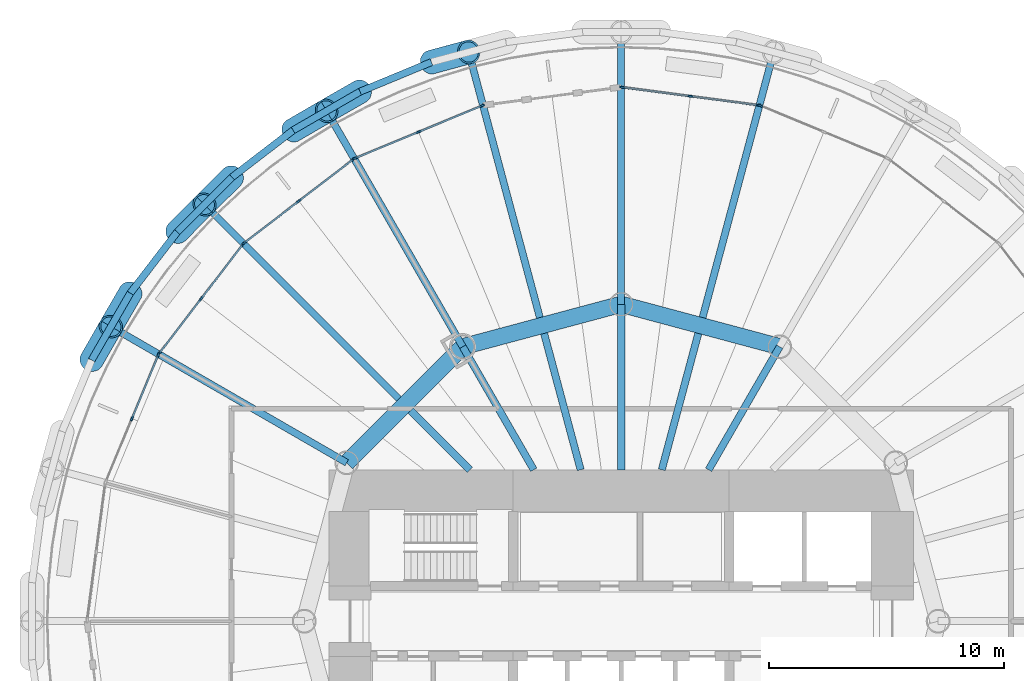
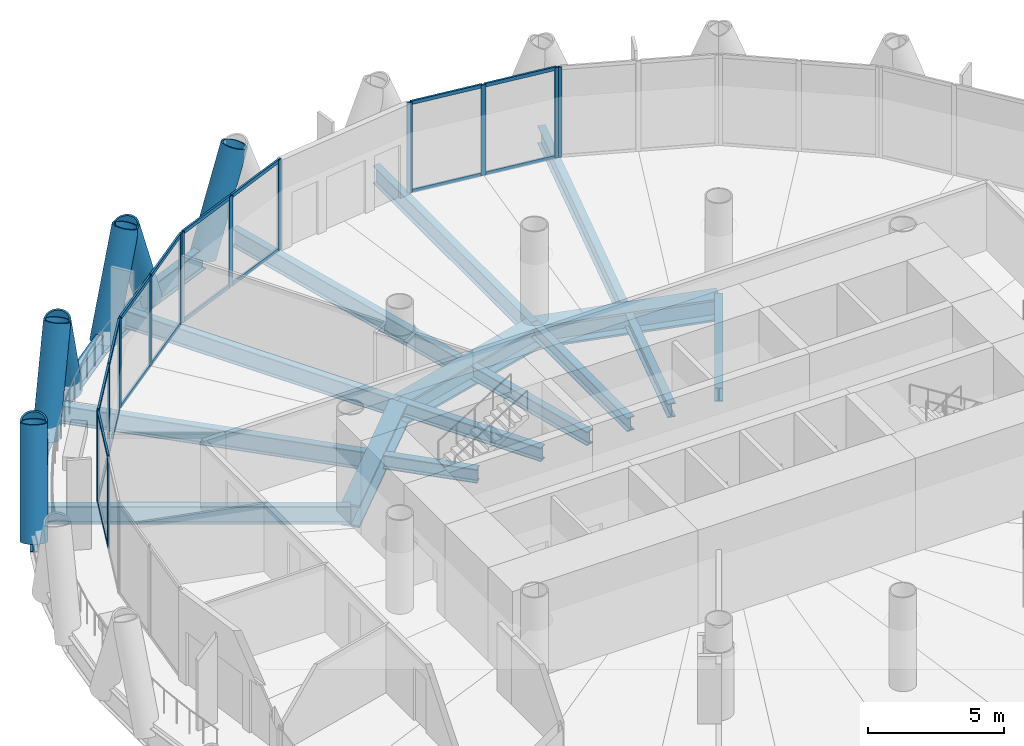
# One storey, part 6 of 15: 40 members, 21 beams, 6 elements without a shape of their own.
"""IFC4 building model written with IfcOpenShell, lengths in metres."""

from ifc_helpers import new_model, si_unit, direction, frame, origin, origin_2d, place, context, subcontext, project, spatial, rectangle, hollow_circle, i_section, extrude, material, material_profile, profile_set, type_object, element, aggregate, save


model = new_model("IFC4")

# Units and contexts
model_context = context("Model", 3, precision=1e-05, world=origin(), true_north=direction((0.0, 1.0)))
body_context = subcontext(model_context, "Body", "Model", "MODEL_VIEW")
ifc_project = project(units=[si_unit("LENGTHUNIT", "METRE"), si_unit("AREAUNIT", "SQUARE_METRE"), si_unit("VOLUMEUNIT", "CUBIC_METRE"), si_unit("PLANEANGLEUNIT", "RADIAN"), si_unit("MASSUNIT", "GRAM", prefix="KILO")], contexts=[model_context])

# Site, building, storey
site_placement = place(None, origin())
site = spatial("IfcSite", under=ifc_project, at=site_placement, CompositionType="ELEMENT")
building_placement = place(site_placement, origin())
building = spatial("IfcBuilding", under=site, at=building_placement, Name="Qaws Media Tower", CompositionType="ELEMENT")
storey_placement = place(building_placement, frame((0.0, 0.0, 122.60009765625)))
storey = spatial("IfcBuildingStorey", under=building, at=storey_placement, Name="L27", CompositionType="ELEMENT", Elevation=122.60009765625)

# Curtain wall, member
ifc_material_1 = material(Name="Aluminium and clear glass", Category="aluminium")
curtain_wall_type = type_object("IfcCurtainWallType", Name="Unitised curtain wall CW-B", PredefinedType="NOTDEFINED", material=ifc_material_1)
curtain_wall_1_placement = place(storey_placement, origin())
curtain_wall_1 = element("IfcCurtainWall", 1, at=curtain_wall_1_placement, inside=storey, type_object=curtain_wall_type, Name="CWB curtain wall L27-05", PredefinedType="NOTDEFINED")
ifc_material_2 = material(Name="Aluminium mullion", Category="aluminium")
ifc_material_profile_1 = material_profile(ifc_material_2, rectangle(XDim=0.080078125, YDim=0.199951171875, at=origin_2d()), Name="80x200")
ifc_profile_set_1 = profile_set([ifc_material_profile_1], Name="Aluminium mullion")
member_type_1 = type_object("IfcMemberType", Name="Curtain wall mullion 80x200", PredefinedType="MULLION", material=ifc_profile_set_1)
member_1_placement = place(storey_placement, frame((65.925048828125, 71.95947265625, 0.0), z_axis=(0.0, 0.0, 1.0), x_axis=(-0.382683471693, -0.923879516221, 0.0)))
member_1 = element("IfcMember", 2, at=member_1_placement, type_object=member_type_1, Name="CWB mullion 3", PredefinedType="MULLION", context=body_context, shape_type="SweptSolid", body=[
    extrude(rectangle(XDim=0.080078125, YDim=0.199951171875, at=origin_2d()), origin(), (0.0, 0.0, 1.0), 4.039794921875),
])
aggregate(curtain_wall_1, [member_1])

# Curtain wall, members
curtain_wall_2_placement = place(storey_placement, origin())
curtain_wall_2 = element("IfcCurtainWall", 3, at=curtain_wall_2_placement, inside=storey, type_object=curtain_wall_type, Name="CWB curtain wall L27-06", PredefinedType="NOTDEFINED")
member_2_placement = place(storey_placement, frame((65.848388671875, 71.97998046875, 0.0), z_axis=(0.0, 0.0, 1.0), x_axis=(-0.130526123437, -0.991444870429, 0.0)))
member_2 = element("IfcMember", 4, at=member_2_placement, type_object=member_type_1, Name="CWB mullion 1", PredefinedType="MULLION", context=body_context, shape_type="SweptSolid", body=[
    extrude(rectangle(XDim=0.080078125, YDim=0.199951171875, at=origin_2d()), origin(), (0.0, 0.0, 1.0), 4.039794921875),
])
member_3_placement = place(storey_placement, frame((62.944091796875, 72.3623046875, 0.0), z_axis=(0.0, 0.0, 1.0), x_axis=(-0.130526123437, -0.991444870429, 0.0)))
member_3 = element("IfcMember", 5, at=member_3_placement, type_object=member_type_1, Name="CWB mullion 2", PredefinedType="MULLION", context=body_context, shape_type="SweptSolid", body=[
    extrude(rectangle(XDim=0.080078125, YDim=0.199951171875, at=origin_2d()), origin(), (0.0, 0.0, 1.0), 4.039794921875),
])
member_4_placement = place(storey_placement, frame((60.03955078125, 72.744873046875, 0.0), z_axis=(0.0, 0.0, 1.0), x_axis=(-0.130526123437, -0.991444870429, 0.0)))
member_4 = element("IfcMember", 6, at=member_4_placement, type_object=member_type_1, Name="CWB mullion 3", PredefinedType="MULLION", context=body_context, shape_type="SweptSolid", body=[
    extrude(rectangle(XDim=0.080078125, YDim=0.199951171875, at=origin_2d()), origin(), (0.0, 0.0, 1.0), 4.039794921875),
])

curtain_wall_3_placement = place(storey_placement, origin())
curtain_wall_3 = element("IfcCurtainWall", 7, at=curtain_wall_3_placement, inside=storey, type_object=curtain_wall_type, Name="CWB curtain wall L27-08", PredefinedType="NOTDEFINED")
member_5_placement = place(storey_placement, frame((54.074951171875, 71.95947265625, 0.0), z_axis=(0.0, 0.0, 1.0), x_axis=(0.382683471693, -0.923879516221, 0.0)))
member_5 = element("IfcMember", 8, at=member_5_placement, type_object=member_type_1, Name="CWB mullion 1", PredefinedType="MULLION", context=body_context, shape_type="SweptSolid", body=[
    extrude(rectangle(XDim=0.080078125, YDim=0.199951171875, at=origin_2d()), origin(), (0.0, 0.0, 1.0), 4.039794921875),
])
member_6_placement = place(storey_placement, frame((51.368408203125, 70.83837890625, 0.0), z_axis=(0.0, 0.0, 1.0), x_axis=(0.382683471693, -0.923879516221, 0.0)))
member_6 = element("IfcMember", 9, at=member_6_placement, type_object=member_type_1, Name="CWB mullion 2", PredefinedType="MULLION", context=body_context, shape_type="SweptSolid", body=[
    extrude(rectangle(XDim=0.080078125, YDim=0.199951171875, at=origin_2d()), origin(), (0.0, 0.0, 1.0), 4.039794921875),
])
member_7_placement = place(storey_placement, frame((48.661865234375, 69.71728515625, 0.0), z_axis=(0.0, 0.0, 1.0), x_axis=(0.382683471693, -0.923879516221, 0.0)))
member_7 = element("IfcMember", 10, at=member_7_placement, type_object=member_type_1, Name="CWB mullion 3", PredefinedType="MULLION", context=body_context, shape_type="SweptSolid", body=[
    extrude(rectangle(XDim=0.080078125, YDim=0.199951171875, at=origin_2d()), origin(), (0.0, 0.0, 1.0), 4.039794921875),
])

curtain_wall_4_placement = place(storey_placement, origin())
curtain_wall_4 = element("IfcCurtainWall", 11, at=curtain_wall_4_placement, inside=storey, type_object=curtain_wall_type, Name="CWB curtain wall L27-09", PredefinedType="NOTDEFINED")
member_8_placement = place(storey_placement, frame((48.59326171875, 69.677734375, 0.0), z_axis=(0.0, 0.0, 1.0), x_axis=(0.608761486721, -0.793353296007, 0.0)))
member_8 = element("IfcMember", 12, at=member_8_placement, type_object=member_type_1, Name="CWB mullion 1", PredefinedType="MULLION", context=body_context, shape_type="SweptSolid", body=[
    extrude(rectangle(XDim=0.080078125, YDim=0.199951171875, at=origin_2d()), origin(), (0.0, 0.0, 1.0), 4.039794921875),
])
member_9_placement = place(storey_placement, frame((46.26904296875, 67.894287109375, 0.0), z_axis=(0.0, 0.0, 1.0), x_axis=(0.608761486721, -0.793353296007, 0.0)))
member_9 = element("IfcMember", 13, at=member_9_placement, type_object=member_type_1, Name="CWB mullion 2", PredefinedType="MULLION", context=body_context, shape_type="SweptSolid", body=[
    extrude(rectangle(XDim=0.080078125, YDim=0.199951171875, at=origin_2d()), origin(), (0.0, 0.0, 1.0), 4.039794921875),
])
member_10_placement = place(storey_placement, frame((43.945068359375, 66.111083984375, 0.0), z_axis=(0.0, 0.0, 1.0), x_axis=(0.608761486721, -0.793353296007, 0.0)))
member_10 = element("IfcMember", 14, at=member_10_placement, type_object=member_type_1, Name="CWB mullion 3", PredefinedType="MULLION", context=body_context, shape_type="SweptSolid", body=[
    extrude(rectangle(XDim=0.080078125, YDim=0.199951171875, at=origin_2d()), origin(), (0.0, 0.0, 1.0), 4.039794921875),
])

curtain_wall_5_placement = place(storey_placement, origin())
curtain_wall_5 = element("IfcCurtainWall", 15, at=curtain_wall_5_placement, inside=storey, type_object=curtain_wall_type, Name="CWB curtain wall L27-10", PredefinedType="NOTDEFINED")
member_11_placement = place(storey_placement, frame((43.888916015625, 66.054931640625, 0.0), z_axis=(0.0, 0.0, 1.0), x_axis=(0.793353296007, -0.608761486721, 0.0)))
member_11 = element("IfcMember", 16, at=member_11_placement, type_object=member_type_1, Name="CWB mullion 1", PredefinedType="MULLION", context=body_context, shape_type="SweptSolid", body=[
    extrude(rectangle(XDim=0.080078125, YDim=0.199951171875, at=origin_2d()), origin(), (0.0, 0.0, 1.0), 4.039794921875),
])
member_12_placement = place(storey_placement, frame((42.105712890625, 63.73095703125, 0.0), z_axis=(0.0, 0.0, 1.0), x_axis=(0.793353296007, -0.608761486721, 0.0)))
member_12 = element("IfcMember", 17, at=member_12_placement, type_object=member_type_1, Name="CWB mullion 2", PredefinedType="MULLION", context=body_context, shape_type="SweptSolid", body=[
    extrude(rectangle(XDim=0.080078125, YDim=0.199951171875, at=origin_2d()), origin(), (0.0, 0.0, 1.0), 4.039794921875),
])
member_13_placement = place(storey_placement, frame((40.322265625, 61.40673828125, 0.0), z_axis=(0.0, 0.0, 1.0), x_axis=(0.793353296007, -0.608761486721, 0.0)))
member_13 = element("IfcMember", 18, at=member_13_placement, type_object=member_type_1, Name="CWB mullion 3", PredefinedType="MULLION", context=body_context, shape_type="SweptSolid", body=[
    extrude(rectangle(XDim=0.080078125, YDim=0.199951171875, at=origin_2d()), origin(), (0.0, 0.0, 1.0), 4.039794921875),
])

curtain_wall_6_placement = place(storey_placement, origin())
curtain_wall_6 = element("IfcCurtainWall", 19, at=curtain_wall_6_placement, inside=storey, type_object=curtain_wall_type, Name="CWB curtain wall L27-11", PredefinedType="NOTDEFINED")
member_14_placement = place(storey_placement, frame((40.28271484375, 61.338134765625, 0.0), z_axis=(0.0, 0.0, 1.0), x_axis=(0.923879516221, -0.382683471693, 0.0)))
member_14 = element("IfcMember", 20, at=member_14_placement, type_object=member_type_1, Name="CWB mullion 1", PredefinedType="MULLION", context=body_context, shape_type="SweptSolid", body=[
    extrude(rectangle(XDim=0.080078125, YDim=0.199951171875, at=origin_2d()), origin(), (0.0, 0.0, 1.0), 4.039794921875),
])
member_15_placement = place(storey_placement, frame((39.16162109375, 58.631591796875, 0.0), z_axis=(0.0, 0.0, 1.0), x_axis=(0.923879516221, -0.382683471693, 0.0)))
member_15 = element("IfcMember", 21, at=member_15_placement, type_object=member_type_1, Name="CWB mullion 2", PredefinedType="MULLION", context=body_context, shape_type="SweptSolid", body=[
    extrude(rectangle(XDim=0.080078125, YDim=0.199951171875, at=origin_2d()), origin(), (0.0, 0.0, 1.0), 4.039794921875),
])

# Member
ifc_material_3 = material(Name="Aluminium transom", Category="aluminium")
ifc_material_profile_2 = material_profile(ifc_material_3, rectangle(XDim=0.080078125, YDim=0.159912109375, at=origin_2d()), Name="80x160")
ifc_profile_set_2 = profile_set([ifc_material_profile_2], Name="Aluminium transom")
member_type_2 = type_object("IfcMemberType", Name="Curtain wall transom 80x160", PredefinedType="USERDEFINED", material=ifc_profile_set_2)
member_16_placement = place(storey_placement, frame((65.808837890625, 71.9853515625, 0.039794921875), z_axis=(-0.991450212439, 0.130485540403, 0.0), x_axis=(-0.130485540403, -0.991450212439, 0.0)))
member_16 = element("IfcMember", 22, at=member_16_placement, type_object=member_type_2, Name="CWB transom 1.1", ObjectType="TRANSOM", PredefinedType="USERDEFINED", context=body_context, shape_type="SweptSolid", body=[
    extrude(rectangle(XDim=0.080078125, YDim=0.159912109375, at=origin_2d()), origin(), (0.0, 0.0, 1.0), 2.849609375),
])

member_17_placement = place(storey_placement, frame((65.808837890625, 71.9853515625, 4.0), z_axis=(-0.991450212439, 0.130485540403, 0.0), x_axis=(-0.130485540403, -0.991450212439, 0.0)))
member_17 = element("IfcMember", 23, at=member_17_placement, type_object=member_type_2, Name="CWB transom 1.2", ObjectType="TRANSOM", PredefinedType="USERDEFINED", context=body_context, shape_type="SweptSolid", body=[
    extrude(rectangle(XDim=0.080078125, YDim=0.159912109375, at=origin_2d()), origin(), (0.0, 0.0, 1.0), 2.849609375),
])

member_18_placement = place(storey_placement, frame((62.904296875, 72.36767578125, 0.039794921875), z_axis=(-0.991448753482, 0.130496625318, 0.0), x_axis=(-0.130496625318, -0.991448753482, 0.0)))
member_18 = element("IfcMember", 24, at=member_18_placement, type_object=member_type_2, Name="CWB transom 2.1", ObjectType="TRANSOM", PredefinedType="USERDEFINED", context=body_context, shape_type="SweptSolid", body=[
    extrude(rectangle(XDim=0.080078125, YDim=0.159912109375, at=origin_2d()), origin(), (0.0, 0.0, 1.0), 2.849365234375),
])

member_19_placement = place(storey_placement, frame((62.904296875, 72.36767578125, 4.0), z_axis=(-0.991448753482, 0.130496625318, 0.0), x_axis=(-0.130496625318, -0.991448753482, 0.0)))
member_19 = element("IfcMember", 25, at=member_19_placement, type_object=member_type_2, Name="CWB transom 2.2", ObjectType="TRANSOM", PredefinedType="USERDEFINED", context=body_context, shape_type="SweptSolid", body=[
    extrude(rectangle(XDim=0.080078125, YDim=0.159912109375, at=origin_2d()), origin(), (0.0, 0.0, 1.0), 2.849365234375),
])

aggregate(curtain_wall_2, [member_2, member_3, member_4, member_16, member_17, member_18, member_19])

member_20_placement = place(storey_placement, frame((54.037841796875, 71.944091796875, 0.039794921875), z_axis=(-0.923893613217, -0.382649436764, 0.0), x_axis=(0.382649436764, -0.923893613217, 0.0)))
member_20 = element("IfcMember", 26, at=member_20_placement, type_object=member_type_2, Name="CWB transom 1.1", ObjectType="TRANSOM", PredefinedType="USERDEFINED", context=body_context, shape_type="SweptSolid", body=[
    extrude(rectangle(XDim=0.080078125, YDim=0.159912109375, at=origin_2d()), origin(), (0.0, 0.0, 1.0), 2.849365234375),
])

member_21_placement = place(storey_placement, frame((54.037841796875, 71.944091796875, 4.0), z_axis=(-0.923893613217, -0.382649436764, 0.0), x_axis=(0.382649436764, -0.923893613217, 0.0)))
member_21 = element("IfcMember", 27, at=member_21_placement, type_object=member_type_2, Name="CWB transom 1.2", ObjectType="TRANSOM", PredefinedType="USERDEFINED", context=body_context, shape_type="SweptSolid", body=[
    extrude(rectangle(XDim=0.080078125, YDim=0.159912109375, at=origin_2d()), origin(), (0.0, 0.0, 1.0), 2.849365234375),
])

member_22_placement = place(storey_placement, frame((51.33154296875, 70.8232421875, 0.039794921875), z_axis=(-0.923863320889, -0.38272256834, 0.0), x_axis=(0.38272256834, -0.923863320889, 0.0)))
member_22 = element("IfcMember", 28, at=member_22_placement, type_object=member_type_2, Name="CWB transom 2.1", ObjectType="TRANSOM", PredefinedType="USERDEFINED", context=body_context, shape_type="SweptSolid", body=[
    extrude(rectangle(XDim=0.080078125, YDim=0.159912109375, at=origin_2d()), origin(), (0.0, 0.0, 1.0), 2.849609375),
])

member_23_placement = place(storey_placement, frame((51.33154296875, 70.8232421875, 4.0), z_axis=(-0.923863320889, -0.38272256834, 0.0), x_axis=(0.38272256834, -0.923863320889, 0.0)))
member_23 = element("IfcMember", 29, at=member_23_placement, type_object=member_type_2, Name="CWB transom 2.2", ObjectType="TRANSOM", PredefinedType="USERDEFINED", context=body_context, shape_type="SweptSolid", body=[
    extrude(rectangle(XDim=0.080078125, YDim=0.159912109375, at=origin_2d()), origin(), (0.0, 0.0, 1.0), 2.849609375),
])

aggregate(curtain_wall_3, [member_5, member_6, member_7, member_20, member_21, member_22, member_23])

member_24_placement = place(storey_placement, frame((48.5615234375, 69.6533203125, 0.039794921875), z_axis=(-0.79337187392, -0.608737274752, 0.0), x_axis=(0.608737274752, -0.79337187392, 0.0)))
member_24 = element("IfcMember", 30, at=member_24_placement, type_object=member_type_2, Name="CWB transom 1.1", ObjectType="TRANSOM", PredefinedType="USERDEFINED", context=body_context, shape_type="SweptSolid", body=[
    extrude(rectangle(XDim=0.080078125, YDim=0.159912109375, at=origin_2d()), origin(), (0.0, 0.0, 1.0), 2.849609375),
])

member_25_placement = place(storey_placement, frame((48.5615234375, 69.6533203125, 4.0), z_axis=(-0.79337187392, -0.608737274752, 0.0), x_axis=(0.608737274752, -0.79337187392, 0.0)))
member_25 = element("IfcMember", 31, at=member_25_placement, type_object=member_type_2, Name="CWB transom 1.2", ObjectType="TRANSOM", PredefinedType="USERDEFINED", context=body_context, shape_type="SweptSolid", body=[
    extrude(rectangle(XDim=0.080078125, YDim=0.159912109375, at=origin_2d()), origin(), (0.0, 0.0, 1.0), 2.849609375),
])

member_26_placement = place(storey_placement, frame((46.2373046875, 67.8701171875, 0.039794921875), z_axis=(-0.793340122008, -0.608778655024, 0.0), x_axis=(0.608778655024, -0.793340122008, 0.0)))
member_26 = element("IfcMember", 32, at=member_26_placement, type_object=member_type_2, Name="CWB transom 2.1", ObjectType="TRANSOM", PredefinedType="USERDEFINED", context=body_context, shape_type="SweptSolid", body=[
    extrude(rectangle(XDim=0.080078125, YDim=0.159912109375, at=origin_2d()), origin(), (0.0, 0.0, 1.0), 2.849365234375),
])

member_27_placement = place(storey_placement, frame((46.2373046875, 67.8701171875, 4.0), z_axis=(-0.793340122008, -0.608778655024, 0.0), x_axis=(0.608778655024, -0.793340122008, 0.0)))
member_27 = element("IfcMember", 33, at=member_27_placement, type_object=member_type_2, Name="CWB transom 2.2", ObjectType="TRANSOM", PredefinedType="USERDEFINED", context=body_context, shape_type="SweptSolid", body=[
    extrude(rectangle(XDim=0.080078125, YDim=0.159912109375, at=origin_2d()), origin(), (0.0, 0.0, 1.0), 2.849365234375),
])

aggregate(curtain_wall_4, [member_8, member_9, member_10, member_24, member_25, member_26, member_27])

member_28_placement = place(storey_placement, frame((43.864501953125, 66.023193359375, 0.039794921875), z_axis=(-0.608778655024, -0.793340122008, 0.0), x_axis=(0.793340122008, -0.608778655024, 0.0)))
member_28 = element("IfcMember", 34, at=member_28_placement, type_object=member_type_2, Name="CWB transom 1.1", ObjectType="TRANSOM", PredefinedType="USERDEFINED", context=body_context, shape_type="SweptSolid", body=[
    extrude(rectangle(XDim=0.080078125, YDim=0.159912109375, at=origin_2d()), origin(), (0.0, 0.0, 1.0), 2.849365234375),
])

member_29_placement = place(storey_placement, frame((43.864501953125, 66.023193359375, 4.0), z_axis=(-0.608778655024, -0.793340122008, 0.0), x_axis=(0.793340122008, -0.608778655024, 0.0)))
member_29 = element("IfcMember", 35, at=member_29_placement, type_object=member_type_2, Name="CWB transom 1.2", ObjectType="TRANSOM", PredefinedType="USERDEFINED", context=body_context, shape_type="SweptSolid", body=[
    extrude(rectangle(XDim=0.080078125, YDim=0.159912109375, at=origin_2d()), origin(), (0.0, 0.0, 1.0), 2.849365234375),
])

member_30_placement = place(storey_placement, frame((42.081298828125, 63.69921875, 0.039794921875), z_axis=(-0.608737274752, -0.79337187392, 0.0), x_axis=(0.79337187392, -0.608737274752, 0.0)))
member_30 = element("IfcMember", 36, at=member_30_placement, type_object=member_type_2, Name="CWB transom 2.1", ObjectType="TRANSOM", PredefinedType="USERDEFINED", context=body_context, shape_type="SweptSolid", body=[
    extrude(rectangle(XDim=0.080078125, YDim=0.159912109375, at=origin_2d()), origin(), (0.0, 0.0, 1.0), 2.849609375),
])

member_31_placement = place(storey_placement, frame((42.081298828125, 63.69921875, 4.0), z_axis=(-0.608737274752, -0.79337187392, 0.0), x_axis=(0.79337187392, -0.608737274752, 0.0)))
member_31 = element("IfcMember", 37, at=member_31_placement, type_object=member_type_2, Name="CWB transom 2.2", ObjectType="TRANSOM", PredefinedType="USERDEFINED", context=body_context, shape_type="SweptSolid", body=[
    extrude(rectangle(XDim=0.080078125, YDim=0.159912109375, at=origin_2d()), origin(), (0.0, 0.0, 1.0), 2.849609375),
])

aggregate(curtain_wall_5, [member_11, member_12, member_13, member_28, member_29, member_30, member_31])

member_32_placement = place(storey_placement, frame((40.267333984375, 61.301025390625, 0.039794921875), z_axis=(-0.38272256834, -0.923863320889, 0.0), x_axis=(0.923863320889, -0.38272256834, 0.0)))
member_32 = element("IfcMember", 38, at=member_32_placement, type_object=member_type_2, Name="CWB transom 1.1", ObjectType="TRANSOM", PredefinedType="USERDEFINED", context=body_context, shape_type="SweptSolid", body=[
    extrude(rectangle(XDim=0.080078125, YDim=0.159912109375, at=origin_2d()), origin(), (0.0, 0.0, 1.0), 2.849609375),
])

member_33_placement = place(storey_placement, frame((40.267333984375, 61.301025390625, 4.0), z_axis=(-0.38272256834, -0.923863320889, 0.0), x_axis=(0.923863320889, -0.38272256834, 0.0)))
member_33 = element("IfcMember", 39, at=member_33_placement, type_object=member_type_2, Name="CWB transom 1.2", ObjectType="TRANSOM", PredefinedType="USERDEFINED", context=body_context, shape_type="SweptSolid", body=[
    extrude(rectangle(XDim=0.080078125, YDim=0.159912109375, at=origin_2d()), origin(), (0.0, 0.0, 1.0), 2.849609375),
])

aggregate(curtain_wall_6, [member_14, member_15, member_32, member_33])

# Members
ifc_material_4 = material(Name="Steel S460", Category="steel")
ifc_material_profile_3 = material_profile(ifc_material_4, hollow_circle(Radius=0.508056640625, WallThickness=0.070068359375, at=origin_2d()), Name="CHS 1016x70")
ifc_profile_set_3 = profile_set([ifc_material_profile_3], Name="Steel S460")
member_type_3 = type_object("IfcMemberType", Name="Diagrid member CHS 1016x70", PredefinedType="USERDEFINED", material=ifc_profile_set_3)
for number, where, z_axis, x_axis, name in (
    (40, (48.87646484375, 72.556396484375, -0.6640625), (-0.316258617899, -0.181592959618, 0.931130755384), (0.497944003624, -0.867209184254, 0.0), "DG3 diagrid L27 A08"),
    (41, (51.915771484375, 73.815185546875, -0.6640625), (0.352036246678, 0.095207834857, 0.931131542375), (-0.261069767138, 0.965319934885, 0.0), "DG3 diagrid L27 B08"),
    (42, (43.41748046875, 68.90869140625, -0.6640625), (-0.258453884891, -0.257263102594, 0.931137629692), (0.705472202332, -0.708737590182, 0.0), "DG3 diagrid L27 A09"),
    (43, (46.02734375, 70.911376953125, -0.6640625), (0.315391702695, 0.183107968117, 0.931128103906), (-0.502088970848, 0.864815971957, 0.0), "DG3 diagrid L27 B09"),
    (44, (39.088623046875, 63.97265625, -0.6640625), (-0.183107968117, -0.315391702695, 0.931128103906), (0.864815971957, -0.502088970848, 0.0), "DG3 diagrid L27 A10"),
    (45, (41.09130859375, 66.58251953125, -0.6640625), (0.257263102594, 0.258453884891, 0.931137629692), (-0.708737590182, 0.705472202332, 0.0), "DG3 diagrid L27 B10"),
    (46, (37.443603515625, 61.12353515625, -0.6640625), (0.181592959618, 0.316258617899, 0.931130755384), (-0.867209184254, 0.497944003624, 0.0), "DG3 diagrid L27 B11"),
):
    element("IfcMember", number, at=place(storey_placement, frame(where, z_axis=z_axis, x_axis=x_axis)), inside=storey, type_object=member_type_3, Name=name, ObjectType="DIAGRID", PredefinedType="USERDEFINED", context=body_context, shape_type="SweptSolid", body=[
        extrude(hollow_circle(Radius=0.508056640625, WallThickness=0.070068359375, at=origin_2d()), origin(), (0.0, 0.0, 1.0), 4.510498046875),
    ])

# Beams
ifc_material_5 = material(Name="Steel S460", Category="steel")
ifc_material_profile_4 = material_profile(ifc_material_5, i_section(OverallWidth=0.302001953125, OverallDepth=1.008056640625, WebThickness=0.02099609375, FlangeThickness=0.0400390625, FilletRadius=0.030029296875, at=origin_2d()), Name="HE 1000 M")
ifc_profile_set_4 = profile_set([ifc_material_profile_4], Name="Steel S460")
beam_type_1 = type_object("IfcBeamType", Name="Edge ring beam HE 1000 M", PredefinedType="BEAM", material=ifc_profile_set_4)
beam_1_placement = place(storey_placement, frame((51.915771484375, 73.815185546875, -0.6640625), z_axis=(-0.923893822469, -0.382648931533, 0.0), x_axis=(0.382648931533, -0.923893822469, 0.0)))
element("IfcBeam", 47, at=beam_1_placement, inside=storey, type_object=beam_type_1, Name="RB3 edge ring beam L27-15", PredefinedType="BEAM", context=body_context, shape_type="SweptSolid", body=[
    extrude(i_section(OverallWidth=0.302001953125, OverallDepth=1.008056640625, WebThickness=0.02099609375, FlangeThickness=0.0400390625, FilletRadius=0.030029296875, at=origin_2d()), origin(), (0.0, 0.0, 1.0), 3.28955078125),
])
beam_2_placement = place(storey_placement, frame((48.87646484375, 72.556396484375, -0.6640625), z_axis=(-0.866015045157, -0.50001794124, 0.0), x_axis=(0.50001794124, -0.866015045157, 0.0)))
element("IfcBeam", 48, at=beam_2_placement, inside=storey, type_object=beam_type_1, Name="RB3 edge ring beam L27-16", PredefinedType="BEAM", context=body_context, shape_type="SweptSolid", body=[
    extrude(i_section(OverallWidth=0.302001953125, OverallDepth=1.008056640625, WebThickness=0.02099609375, FlangeThickness=0.0400390625, FilletRadius=0.030029296875, at=origin_2d()), origin(), (0.0, 0.0, 1.0), 3.2900390625),
])
for number, where, z_axis, x_axis, name in (
    (49, (46.02734375, 70.911376953125, -0.6640625), (-0.793343501496, -0.608774250961, 0.0), (0.608774250961, -0.793343501496, 0.0), "RB3 edge ring beam L27-17"),
    (50, (43.41748046875, 68.90869140625, -0.6640625), (-0.707106781187, -0.707106781187, 0.0), (0.707106781187, -0.707106781187, 0.0), "RB3 edge ring beam L27-18"),
    (51, (41.09130859375, 66.58251953125, -0.6640625), (-0.608774250961, -0.793343501496, 0.0), (0.793343501496, -0.608774250961, 0.0), "RB3 edge ring beam L27-19"),
):
    element("IfcBeam", number, at=place(storey_placement, frame(where, z_axis=z_axis, x_axis=x_axis)), inside=storey, type_object=beam_type_1, Name=name, PredefinedType="BEAM", context=body_context, shape_type="SweptSolid", body=[
        extrude(i_section(OverallWidth=0.302001953125, OverallDepth=1.008056640625, WebThickness=0.02099609375, FlangeThickness=0.0400390625, FilletRadius=0.030029296875, at=origin_2d()), origin(), (0.0, 0.0, 1.0), 3.289794921875),
    ])
beam_3_placement = place(storey_placement, frame((39.088623046875, 63.97265625, -0.6640625), z_axis=(-0.50001794124, -0.866015045157, 0.0), x_axis=(0.866015045157, -0.50001794124, 0.0)))
element("IfcBeam", 52, at=beam_3_placement, inside=storey, type_object=beam_type_1, Name="RB3 edge ring beam L27-20", PredefinedType="BEAM", context=body_context, shape_type="SweptSolid", body=[
    extrude(i_section(OverallWidth=0.302001953125, OverallDepth=1.008056640625, WebThickness=0.02099609375, FlangeThickness=0.0400390625, FilletRadius=0.030029296875, at=origin_2d()), origin(), (0.0, 0.0, 1.0), 3.2900390625),
])
ifc_material_6 = material(Name="Steel S460", Category="steel")
ifc_material_profile_5 = material_profile(ifc_material_6, i_section(OverallWidth=0.699951171875, OverallDepth=1.0, WebThickness=0.034912109375, FlangeThickness=0.090087890625, at=origin_2d()), Name="PG 1000x700")
ifc_profile_set_5 = profile_set([ifc_material_profile_5], Name="Steel S460")
beam_type_2 = type_object("IfcBeamType", Name="Inner ring girder PG 1000x700", PredefinedType="BEAM", material=ifc_profile_set_5)
for number, where, z_axis, x_axis, name in (
    (53, (66.75, 61.69140625, -0.66015625), (-0.965928090778, 0.258810593767, 0.0), (-0.258810593767, -0.965928090778, 0.0), "B3 inner ring beam L27 I03-I04"),
    (54, (60.0, 63.5, -0.66015625), (-0.965928090778, -0.258810593767, 0.0), (0.258810593767, -0.965928090778, 0.0), "B3 inner ring beam L27 I04-I05"),
):
    element("IfcBeam", number, at=place(storey_placement, frame(where, z_axis=z_axis, x_axis=x_axis)), inside=storey, type_object=beam_type_2, Name=name, PredefinedType="BEAM", context=body_context, shape_type="SweptSolid", body=[
        extrude(i_section(OverallWidth=0.699951171875, OverallDepth=1.0, WebThickness=0.034912109375, FlangeThickness=0.090087890625, at=origin_2d()), origin(), (0.0, 0.0, 1.0), 6.988037109375),
    ])
beam_4_placement = place(storey_placement, frame((53.25, 61.69140625, -0.66015625), z_axis=(-0.707106781187, -0.707106781187, 0.0), x_axis=(0.707106781187, -0.707106781187, 0.0)))
element("IfcBeam", 55, at=beam_4_placement, inside=storey, type_object=beam_type_2, Name="B3 inner ring beam L27 I05-I06", PredefinedType="BEAM", context=body_context, shape_type="SweptSolid", body=[
    extrude(i_section(OverallWidth=0.699951171875, OverallDepth=1.0, WebThickness=0.034912109375, FlangeThickness=0.090087890625, at=origin_2d()), origin(), (0.0, 0.0, 1.0), 6.98828125),
])
ifc_material_7 = material(Name="Steel S355", Category="steel")
ifc_material_profile_6 = material_profile(ifc_material_7, i_section(OverallWidth=0.304931640625, OverallDepth=0.6201171875, WebThickness=0.02099609375, FlangeThickness=0.0400390625, FilletRadius=0.027099609375, at=origin_2d()), Name="HE 600 M")
ifc_profile_set_6 = profile_set([ifc_material_profile_6], Name="Steel S355")
beam_type_3 = type_object("IfcBeamType", Name="Radial beam HE 600 M, core side", PredefinedType="BEAM", material=ifc_profile_set_6)
beam_5_placement = place(storey_placement, frame((63.723876953125, 56.449951171875, -0.47021484375), z_axis=(0.499995978368, 0.866027725662, 0.0), x_axis=(-0.866027725662, 0.499995978368, 0.0)))
element("IfcBeam", 56, at=beam_5_placement, inside=storey, type_object=beam_type_3, Name="B2 radial beam L27 05", PredefinedType="BEAM", context=body_context, shape_type="SweptSolid", body=[
    extrude(i_section(OverallWidth=0.304931640625, OverallDepth=0.6201171875, WebThickness=0.02099609375, FlangeThickness=0.0400390625, FilletRadius=0.027099609375, at=origin_2d()), origin(), (0.0, 0.0, 1.0), 6.05224609375),
])
beam_6_placement = place(storey_placement, frame((61.728271484375, 56.449951171875, -0.47021484375), z_axis=(0.258819977482, 0.965925576458, 0.0), x_axis=(-0.965925576458, 0.258819977482, 0.0)))
element("IfcBeam", 57, at=beam_6_placement, inside=storey, type_object=beam_type_3, Name="B2 radial beam L27 06", PredefinedType="BEAM", context=body_context, shape_type="SweptSolid", body=[
    extrude(i_section(OverallWidth=0.304931640625, OverallDepth=0.6201171875, WebThickness=0.02099609375, FlangeThickness=0.0400390625, FilletRadius=0.027099609375, at=origin_2d()), origin(), (0.0, 0.0, 1.0), 6.012451171875),
])
beam_7_placement = place(storey_placement, frame((60.0, 56.449951171875, -0.47021484375), z_axis=(0.0, 1.0, 0.0), x_axis=(-1.0, 0.0, 0.0)))
element("IfcBeam", 58, at=beam_7_placement, inside=storey, type_object=beam_type_3, Name="B2 radial beam L27 07", PredefinedType="BEAM", context=body_context, shape_type="SweptSolid", body=[
    extrude(i_section(OverallWidth=0.304931640625, OverallDepth=0.6201171875, WebThickness=0.02099609375, FlangeThickness=0.0400390625, FilletRadius=0.027099609375, at=origin_2d()), origin(), (0.0, 0.0, 1.0), 7.050048828125),
])
beam_8_placement = place(storey_placement, frame((58.271728515625, 56.449951171875, -0.47021484375), z_axis=(-0.258819977482, 0.965925576458, 0.0), x_axis=(-0.965925576458, -0.258819977482, 0.0)))
element("IfcBeam", 59, at=beam_8_placement, inside=storey, type_object=beam_type_3, Name="B2 radial beam L27 08", PredefinedType="BEAM", context=body_context, shape_type="SweptSolid", body=[
    extrude(i_section(OverallWidth=0.304931640625, OverallDepth=0.6201171875, WebThickness=0.02099609375, FlangeThickness=0.0400390625, FilletRadius=0.027099609375, at=origin_2d()), origin(), (0.0, 0.0, 1.0), 6.012451171875),
])
beam_9_placement = place(storey_placement, frame((56.276123046875, 56.449951171875, -0.47021484375), z_axis=(-0.499995978368, 0.866027725662, 0.0), x_axis=(-0.866027725662, -0.499995978368, 0.0)))
element("IfcBeam", 60, at=beam_9_placement, inside=storey, type_object=beam_type_3, Name="B2 radial beam L27 09", PredefinedType="BEAM", context=body_context, shape_type="SweptSolid", body=[
    extrude(i_section(OverallWidth=0.304931640625, OverallDepth=0.6201171875, WebThickness=0.02099609375, FlangeThickness=0.0400390625, FilletRadius=0.027099609375, at=origin_2d()), origin(), (0.0, 0.0, 1.0), 6.05224609375),
])
beam_10_placement = place(storey_placement, frame((53.550048828125, 56.449951171875, -0.47021484375), z_axis=(-0.707106781187, 0.707106781187, 0.0), x_axis=(-0.707106781187, -0.707106781187, 0.0)))
element("IfcBeam", 61, at=beam_10_placement, inside=storey, type_object=beam_type_3, Name="B2 radial beam L27 10", PredefinedType="BEAM", context=body_context, shape_type="SweptSolid", body=[
    extrude(i_section(OverallWidth=0.304931640625, OverallDepth=0.6201171875, WebThickness=0.02099609375, FlangeThickness=0.0400390625, FilletRadius=0.027099609375, at=origin_2d()), origin(), (0.0, 0.0, 1.0), 3.568359375),
])
ifc_material_8 = material(Name="Steel S355", Category="steel")
ifc_material_profile_7 = material_profile(ifc_material_8, i_section(OverallWidth=0.300048828125, OverallDepth=0.800048828125, WebThickness=0.017578125, FlangeThickness=0.032958984375, FilletRadius=0.030029296875, at=origin_2d()), Name="HE 800 B")
ifc_profile_set_7 = profile_set([ifc_material_profile_7], Name="Steel S355")
beam_type_4 = type_object("IfcBeamType", Name="Radial beam HE 800 B", PredefinedType="BEAM", material=ifc_profile_set_7)
beam_11_placement = place(storey_placement, frame((63.465576171875, 62.933837890625, -0.56005859375), z_axis=(0.258822958322, 0.965924777737, 0.0), x_axis=(-0.965924777737, 0.258822958322, 0.0)))
element("IfcBeam", 62, at=beam_11_placement, inside=storey, type_object=beam_type_4, Name="B1 radial beam L27 06", PredefinedType="BEAM", context=body_context, shape_type="SweptSolid", body=[
    extrude(i_section(OverallWidth=0.300048828125, OverallDepth=0.800048828125, WebThickness=0.017578125, FlangeThickness=0.032958984375, FilletRadius=0.030029296875, at=origin_2d()), origin(), (0.0, 0.0, 1.0), 11.7060546875),
])
beam_12_placement = place(storey_placement, frame((60.0, 63.5, -0.56005859375), z_axis=(0.0, 1.0, 0.0), x_axis=(-1.0, 0.0, 0.0)))
element("IfcBeam", 63, at=beam_12_placement, inside=storey, type_object=beam_type_4, Name="B1 radial beam L27 07", PredefinedType="BEAM", context=body_context, shape_type="SweptSolid", body=[
    extrude(i_section(OverallWidth=0.300048828125, OverallDepth=0.800048828125, WebThickness=0.017578125, FlangeThickness=0.032958984375, FilletRadius=0.030029296875, at=origin_2d()), origin(), (0.0, 0.0, 1.0), 11.59619140625),
])
beam_13_placement = place(storey_placement, frame((56.534423828125, 62.933837890625, -0.56005859375), z_axis=(-0.258822958322, 0.965924777737, 0.0), x_axis=(-0.965924777737, -0.258822958322, 0.0)))
element("IfcBeam", 64, at=beam_13_placement, inside=storey, type_object=beam_type_4, Name="B1 radial beam L27 08", PredefinedType="BEAM", context=body_context, shape_type="SweptSolid", body=[
    extrude(i_section(OverallWidth=0.300048828125, OverallDepth=0.800048828125, WebThickness=0.017578125, FlangeThickness=0.032958984375, FilletRadius=0.030029296875, at=origin_2d()), origin(), (0.0, 0.0, 1.0), 11.7060546875),
])
beam_14_placement = place(storey_placement, frame((53.25, 61.69140625, -0.56005859375), z_axis=(-0.500004326958, 0.8660229056, 0.0), x_axis=(-0.8660229056, -0.500004326958, 0.0)))
element("IfcBeam", 65, at=beam_14_placement, inside=storey, type_object=beam_type_4, Name="B1 radial beam L27 09", PredefinedType="BEAM", context=body_context, shape_type="SweptSolid", body=[
    extrude(i_section(OverallWidth=0.300048828125, OverallDepth=0.800048828125, WebThickness=0.017578125, FlangeThickness=0.032958984375, FilletRadius=0.030029296875, at=origin_2d()), origin(), (0.0, 0.0, 1.0), 11.59619140625),
])
beam_15_placement = place(storey_placement, frame((50.53173828125, 59.46826171875, -0.56005859375), z_axis=(-0.707106781187, 0.707106781187, 0.0), x_axis=(-0.707106781187, -0.707106781187, 0.0)))
element("IfcBeam", 66, at=beam_15_placement, inside=storey, type_object=beam_type_4, Name="B1 radial beam L27 10", PredefinedType="BEAM", context=body_context, shape_type="SweptSolid", body=[
    extrude(i_section(OverallWidth=0.300048828125, OverallDepth=0.800048828125, WebThickness=0.017578125, FlangeThickness=0.032958984375, FilletRadius=0.030029296875, at=origin_2d()), origin(), (0.0, 0.0, 1.0), 11.705810546875),
])
beam_16_placement = place(storey_placement, frame((48.30859375, 56.75, -0.56005859375), z_axis=(-0.8660229056, 0.500004326958, 0.0), x_axis=(-0.500004326958, -0.8660229056, 0.0)))
element("IfcBeam", 67, at=beam_16_placement, inside=storey, type_object=beam_type_4, Name="B1 radial beam L27 11", PredefinedType="BEAM", context=body_context, shape_type="SweptSolid", body=[
    extrude(i_section(OverallWidth=0.300048828125, OverallDepth=0.800048828125, WebThickness=0.017578125, FlangeThickness=0.032958984375, FilletRadius=0.030029296875, at=origin_2d()), origin(), (0.0, 0.0, 1.0), 11.59619140625),
])

save(model, "model.ifc")
